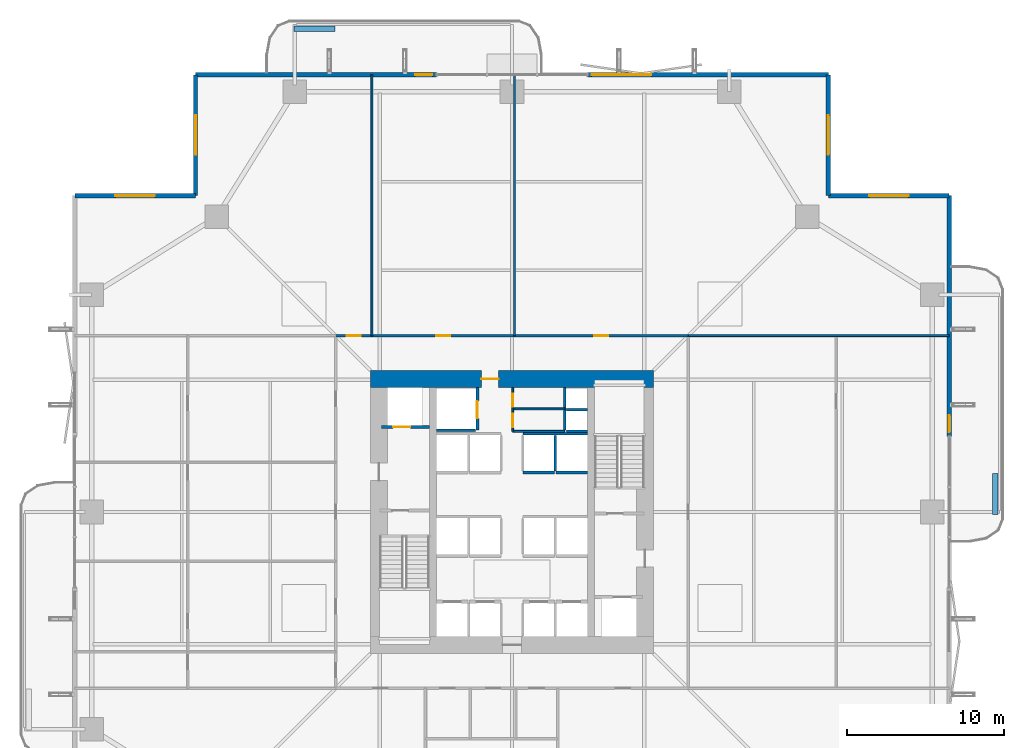
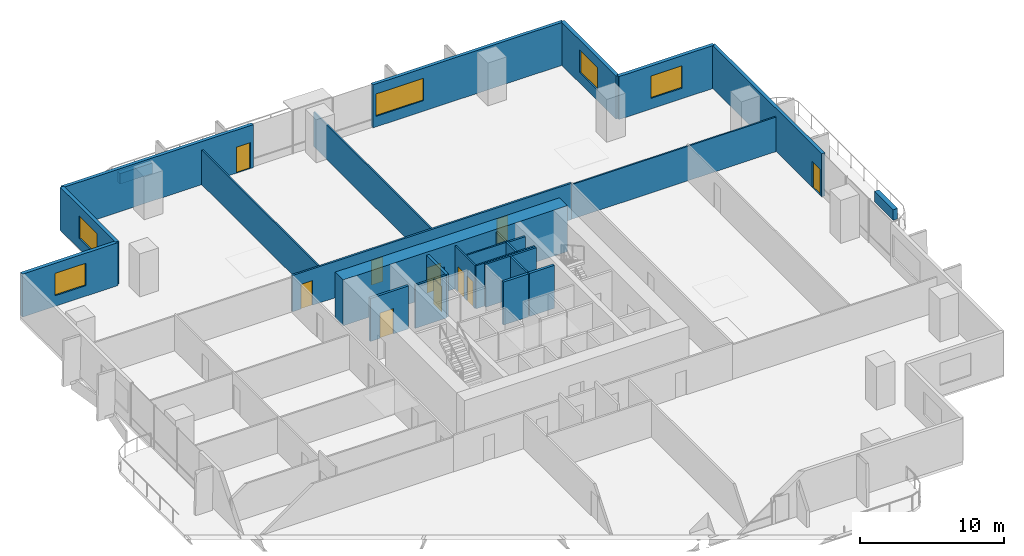
# One storey, part 19 of 24: 27 walls, 10 doors, 5 windows, 15 openings.
"""IFC4 building model written with IfcOpenShell, lengths in metres."""

from ifc_helpers import new_model, si_unit, direction, frame, frame_2d, origin, place, context, subcontext, project, spatial, rectangle, extrude, material, layer, layer_set, type_object, element, fill, save


model = new_model("IFC4")

# Units and contexts
model_context = context("Model", 3, precision=1e-05, world=origin(), true_north=direction((0.0, 1.0)))
body_context = subcontext(model_context, "Body", "Model", "MODEL_VIEW")
ifc_project = project(units=[si_unit("LENGTHUNIT", "METRE"), si_unit("AREAUNIT", "SQUARE_METRE"), si_unit("VOLUMEUNIT", "CUBIC_METRE"), si_unit("PLANEANGLEUNIT", "RADIAN"), si_unit("MASSUNIT", "GRAM", prefix="KILO")], contexts=[model_context])

# Site, building, storey
site_placement = place(None, origin())
site = spatial("IfcSite", under=ifc_project, at=site_placement, CompositionType="ELEMENT")
building_placement = place(site_placement, origin())
building = spatial("IfcBuilding", under=site, at=building_placement, Name="Belovzor Exchange Tower", CompositionType="ELEMENT")
storey_placement = place(building_placement, frame((0.0, 0.0, 80.699951171875)))
storey = spatial("IfcBuildingStorey", under=building, at=storey_placement, Name="L19", CompositionType="ELEMENT", Elevation=80.699951171875)

# Walls
ifc_material_1 = material(Name="Acoustic Plasterboard on Galvanised Studs", Category="gypsum")
ifc_layer_1 = layer(ifc_material_1, 0.1201171875)
ifc_layer_set_1 = layer_set([ifc_layer_1], Name="Acoustic Plasterboard on Galvanised Studs")
wall_type_1 = type_object("IfcWallType", Name="Acoustic Double-Stud Partition Wall 120", PredefinedType="PARTITIONING", material=ifc_layer_set_1)
for number, where, z_axis, x_axis, name in (
    (1, (19.89990234375, 40.0, 0.0), (0.0, 0.0, 1.0), (0.0, 1.0, 0.0), "W-P120 Partition Wall W-L19-NDIV-1"),
    (2, (28.9560546875, 40.0, 0.0), (0.0, 0.0, 1.0), (0.0, 1.0, 0.0), "W-P120 Partition Wall W-L19-NDIV-2"),
    (3, (40.0, 40.0, 0.0), (0.0, 0.0, 1.0), (1.0, 0.0, 0.0), "W-P120 Partition Wall W-L19-END-NE"),
):
    element("IfcWall", number, at=place(storey_placement, frame(where, z_axis=z_axis, x_axis=x_axis)), inside=storey, type_object=wall_type_1, Name=name, PredefinedType="PARTITIONING", context=body_context, shape_type="SweptSolid", body=[
        extrude(rectangle(XDim=16.570068359375, YDim=0.1201171875, at=frame_2d((8.28515625, 0.0))), origin(), (0.0, 0.0, 1.0), 2.93505859375),
    ])

# Wall, openings, doors
ifc_material_2 = material(Name="Fire-Rated Plasterboard on Galvanised Studs", Category="gypsum")
ifc_layer_2 = layer(ifc_material_2, 0.1201171875)
ifc_layer_set_2 = layer_set([ifc_layer_2], Name="Fire-Rated Plasterboard on Galvanised Studs")
wall_type_2 = type_object("IfcWallType", Name="Fire-Rated Double-Stud Partition Wall 120", PredefinedType="PARTITIONING", material=ifc_layer_set_2)
wall_1_placement = place(storey_placement, frame((28.85009765625, 33.925048828125, 0.0), z_axis=(0.0, 0.0, 1.0), x_axis=(0.0, 1.0, 0.0)))
wall_1 = element("IfcWall", 4, at=wall_1_placement, inside=storey, type_object=wall_type_2, Name="W-P120F Partition Wall W-CRV-L19-W", PredefinedType="PARTITIONING", context=body_context, shape_type="SweptSolid", body=[
    extrude(rectangle(XDim=2.77490234375, YDim=0.1201171875, at=frame_2d((1.387451171875, 0.0))), origin(), (0.0, 0.0, 1.0), 3.650146484375),
])
opening_1_placement = place(wall_1_placement, frame((0.25, 0.0, 0.0)))
opening_1 = element("IfcOpeningElement", 5, at=opening_1_placement, cuts=wall_1, Name="Opening D-FD60-085", PredefinedType="OPENING", context=body_context, shape_type="SweptSolid", body=[
    extrude(rectangle(XDim=0.85009765625, YDim=2.10009765625, at=frame_2d((0.425048828125, 1.050048828125))), frame((0.0, 0.070068359375, 0.0), z_axis=(0.0, -1.0, 0.0), x_axis=(1.0, 0.0, 0.0)), (0.0, 0.0, 1.0), 0.14013671875),
])
opening_2_placement = place(wall_1_placement, frame((1.544921875, 0.0, 0.0)))
opening_2 = element("IfcOpeningElement", 6, at=opening_2_placement, cuts=wall_1, Name="Opening D-FD60-085", PredefinedType="OPENING", context=body_context, shape_type="SweptSolid", body=[
    extrude(rectangle(XDim=0.85009765625, YDim=2.10009765625, at=frame_2d((0.425048828125, 1.050048828125))), frame((0.0, 0.070068359375, 0.0), z_axis=(0.0, -1.0, 0.0), x_axis=(1.0, 0.0, 0.0)), (0.0, 0.0, 1.0), 0.14013671875),
])
ifc_material_3 = material(Name="Fire-Rated Steel Access Leaf", Category="steel")
door_type_1 = type_object("IfcDoorType", Name="Riser & Meter Closet Access Fire Door 850x2100", OperationType="NOTDEFINED", PredefinedType="DOOR", material=ifc_material_3)
door_1_placement = place(opening_1_placement, origin())
door_1 = element("IfcDoor", 7, at=door_1_placement, inside=storey, type_object=door_type_1, Name="D-FD60-085 Riser & Meter Closet Access Fire Door 850x2100", OperationType="SINGLE_SWING_LEFT", OverallHeight=2.10009765625, OverallWidth=0.85009765625, PredefinedType="DOOR", context=body_context, shape_type="SweptSolid", body=[
    extrude(rectangle(XDim=0.85009765625, YDim=2.10009765625, at=frame_2d((0.425048828125, 1.050048828125))), frame((0.0, 0.02490234375, 0.0), z_axis=(0.0, -1.0, 0.0), x_axis=(1.0, 0.0, 0.0)), (0.0, 0.0, 1.0), 0.050048828125),
])
fill(opening_1, door_1)
door_2_placement = place(opening_2_placement, origin())
door_2 = element("IfcDoor", 8, at=door_2_placement, inside=storey, type_object=door_type_1, Name="D-FD60-085 Riser & Meter Closet Access Fire Door 850x2100", OperationType="SINGLE_SWING_RIGHT", OverallHeight=2.10009765625, OverallWidth=0.85009765625, PredefinedType="DOOR", context=body_context, shape_type="SweptSolid", body=[
    extrude(rectangle(XDim=0.85009765625, YDim=2.10009765625, at=frame_2d((0.425048828125, 1.050048828125))), frame((0.0, 0.02490234375, 0.0), z_axis=(0.0, -1.0, 0.0), x_axis=(1.0, 0.0, 0.0)), (0.0, 0.0, 1.0), 0.050048828125),
])
fill(opening_2, door_2)

# Walls
for number, where, z_axis, x_axis, name in (
    (9, (28.85009765625, 35.35009765625, 0.0), (0.0, 0.0, 1.0), (1.0, 0.0, 0.0), "W-P120F Partition Wall W-CRV-L19-M"),
    (10, (28.85009765625, 33.925048828125, 0.0), (0.0, 0.0, 1.0), (1.0, 0.0, 0.0), "W-P120F Partition Wall W-CRV-L19-S"),
):
    element("IfcWall", number, at=place(storey_placement, frame(where, z_axis=z_axis, x_axis=x_axis)), inside=storey, type_object=wall_type_2, Name=name, PredefinedType="PARTITIONING", context=body_context, shape_type="SweptSolid", body=[
        extrude(rectangle(XDim=3.2998046875, YDim=0.1201171875, at=frame_2d((1.64990234375, 0.0))), origin(), (0.0, 0.0, 1.0), 3.650146484375),
    ])

# Wall, openings, doors
ifc_material_4 = material(Name="Fire-Rated Gypsum Block and Mineral Wool", Category="gypsum")
ifc_layer_3 = layer(ifc_material_4, 0.14990234375)
ifc_layer_set_3 = layer_set([ifc_layer_3], Name="Fire-Rated Gypsum Block and Mineral Wool")
wall_type_3 = type_object("IfcWallType", Name="Fire-Rated Gypsum Block Corridor Wall 150", PredefinedType="PARTITIONING", material=ifc_layer_set_3)
wall_2_placement = place(storey_placement, frame((17.60009765625, 40.0, 0.0), z_axis=(0.0, 0.0, 1.0), x_axis=(1.0, 0.0, 0.0)))
wall_2 = element("IfcWall", 11, at=wall_2_placement, inside=storey, type_object=wall_type_3, Name="W-P150 Partition Wall W-L19-CN", PredefinedType="PARTITIONING", context=body_context, shape_type="SweptSolid", body=[
    extrude(rectangle(XDim=22.39990234375, YDim=0.14990234375, at=frame_2d((11.199951171875, 0.0))), origin(), (0.0, 0.0, 1.0), 3.0849609375),
])
opening_3_placement = place(wall_2_placement, frame((0.699951171875, 0.0, 0.0)))
opening_3 = element("IfcOpeningElement", 12, at=opening_3_placement, cuts=wall_2, Name="Opening D-INT-090", PredefinedType="OPENING", context=body_context, shape_type="SweptSolid", body=[
    extrude(rectangle(XDim=0.89990234375, YDim=2.10009765625, at=frame_2d((0.449951171875, 1.050048828125))), frame((0.0, 0.0849609375, 0.0), z_axis=(0.0, -1.0, 0.0), x_axis=(1.0, 0.0, 0.0)), (0.0, 0.0, 1.0), 0.169921875),
])
opening_4_placement = place(wall_2_placement, frame((6.3779296875, 0.0, 0.0)))
opening_4 = element("IfcOpeningElement", 13, at=opening_4_placement, cuts=wall_2, Name="Opening D-INT-090", PredefinedType="OPENING", context=body_context, shape_type="SweptSolid", body=[
    extrude(rectangle(XDim=0.89990234375, YDim=2.10009765625, at=frame_2d((0.449951171875, 1.050048828125))), frame((0.0, 0.0849609375, 0.0), z_axis=(0.0, -1.0, 0.0), x_axis=(1.0, 0.0, 0.0)), (0.0, 0.0, 1.0), 0.169921875),
])
opening_5_placement = place(wall_2_placement, frame((16.427978515625, 0.0, 0.0)))
opening_5 = element("IfcOpeningElement", 14, at=opening_5_placement, cuts=wall_2, Name="Opening D-INT-090", PredefinedType="OPENING", context=body_context, shape_type="SweptSolid", body=[
    extrude(rectangle(XDim=0.89990234375, YDim=2.10009765625, at=frame_2d((0.449951171875, 1.050048828125))), frame((0.0, 0.0849609375, 0.0), z_axis=(0.0, -1.0, 0.0), x_axis=(1.0, 0.0, 0.0)), (0.0, 0.0, 1.0), 0.169921875),
])
ifc_material_5 = material(Name="Veneered Hardwood Acoustic Leaf", Category="wood")
door_type_2 = type_object("IfcDoorType", Name="Trading Suite Acoustic Single Door 900x2100", OperationType="NOTDEFINED", PredefinedType="DOOR", material=ifc_material_5)
door_3_placement = place(opening_3_placement, origin())
door_3 = element("IfcDoor", 15, at=door_3_placement, inside=storey, type_object=door_type_2, Name="D-INT-090 Trading Suite Acoustic Single Door 900x2100", OperationType="SINGLE_SWING_RIGHT", OverallHeight=2.10009765625, OverallWidth=0.89990234375, PredefinedType="DOOR", context=body_context, shape_type="SweptSolid", body=[
    extrude(rectangle(XDim=0.89990234375, YDim=2.10009765625, at=frame_2d((0.449951171875, 1.050048828125))), frame((0.0, 0.02490234375, 0.0), z_axis=(0.0, -1.0, 0.0), x_axis=(1.0, 0.0, 0.0)), (0.0, 0.0, 1.0), 0.050048828125),
])
fill(opening_3, door_3)
door_4_placement = place(opening_4_placement, origin())
door_4 = element("IfcDoor", 16, at=door_4_placement, inside=storey, type_object=door_type_2, Name="D-INT-090 Trading Suite Acoustic Single Door 900x2100", OperationType="SINGLE_SWING_LEFT", OverallHeight=2.10009765625, OverallWidth=0.89990234375, PredefinedType="DOOR", context=body_context, shape_type="SweptSolid", body=[
    extrude(rectangle(XDim=0.89990234375, YDim=2.10009765625, at=frame_2d((0.449951171875, 1.050048828125))), frame((0.0, 0.02490234375, 0.0), z_axis=(0.0, -1.0, 0.0), x_axis=(1.0, 0.0, 0.0)), (0.0, 0.0, 1.0), 0.050048828125),
])
fill(opening_4, door_4)
door_5_placement = place(opening_5_placement, origin())
door_5 = element("IfcDoor", 17, at=door_5_placement, inside=storey, type_object=door_type_2, Name="D-INT-090 Trading Suite Acoustic Single Door 900x2100", OperationType="SINGLE_SWING_RIGHT", OverallHeight=2.10009765625, OverallWidth=0.89990234375, PredefinedType="DOOR", context=body_context, shape_type="SweptSolid", body=[
    extrude(rectangle(XDim=0.89990234375, YDim=2.10009765625, at=frame_2d((0.449951171875, 1.050048828125))), frame((0.0, 0.02490234375, 0.0), z_axis=(0.0, -1.0, 0.0), x_axis=(1.0, 0.0, 0.0)), (0.0, 0.0, 1.0), 0.050048828125),
])
fill(opening_5, door_5)

# Wall, opening, window
ifc_material_6 = material(Name="Precast concrete C40/50", Category="concrete")
ifc_layer_4 = layer(ifc_material_6, 0.280029296875)
ifc_layer_set_4 = layer_set([ifc_layer_4], Name="Precast concrete C40/50")
wall_type_4 = type_object("IfcWallType", Name="Precast Concrete Notched Corner Frame Wall 280", PredefinedType="SOLIDWALL", material=ifc_layer_set_4)
wall_3_placement = place(storey_placement, frame((1.030029296875, 48.89990234375, 0.0), z_axis=(0.0, 0.0, 1.0), x_axis=(1.0, 0.0, 0.0)))
wall_3 = element("IfcWall", 18, at=wall_3_placement, inside=storey, type_object=wall_type_4, Name="W-CRN280 Precast Concrete Notched Corner Frame Wall 280 L19", PredefinedType="SOLIDWALL", context=body_context, shape_type="SweptSolid", body=[
    extrude(rectangle(XDim=7.669921875, YDim=0.280029296875, at=frame_2d((3.8349609375, 0.0))), origin(), (0.0, 0.0, 1.0), 3.650146484375),
])
opening_6_placement = place(wall_3_placement, frame((2.5849609375, 0.0, 0.89990234375)))
opening_6 = element("IfcOpeningElement", 19, at=opening_6_placement, cuts=wall_3, Name="Opening WN-CRN250", PredefinedType="OPENING", context=body_context, shape_type="SweptSolid", body=[
    extrude(rectangle(XDim=2.5, YDim=1.89990234375, at=frame_2d((1.25, 0.949951171875))), frame((0.0, 0.14990234375, 0.0), z_axis=(0.0, -1.0, 0.0), x_axis=(1.0, 0.0, 0.0)), (0.0, 0.0, 1.0), 0.300048828125),
])
ifc_material_7 = material(Name="Thermally Broken Aluminium and Triple Glazing", Category="aluminium")
window_type_1 = type_object("IfcWindowType", Name="Streamline Moderne Corner Wrap Ribbon Window 2500x1900", PartitioningType="SINGLE_PANEL", PredefinedType="WINDOW", material=ifc_material_7)
window_1_placement = place(opening_6_placement, origin())
window_1 = element("IfcWindow", 20, at=window_1_placement, inside=storey, type_object=window_type_1, Name="WN-CRN250 Streamline Moderne Corner Wrap Ribbon Window 2500x1900", OverallHeight=1.89990234375, OverallWidth=2.5, PartitioningType="SINGLE_PANEL", PredefinedType="WINDOW", context=body_context, shape_type="SweptSolid", body=[
    extrude(rectangle(XDim=2.5, YDim=1.89990234375, at=frame_2d((1.25, 0.949951171875))), frame((0.0, 0.030029296875, 0.0), z_axis=(0.0, -1.0, 0.0), x_axis=(1.0, 0.0, 0.0)), (0.0, 0.0, 1.0), 0.06005859375),
])
fill(opening_6, window_1)

wall_4_placement = place(storey_placement, frame((8.699951171875, 48.89990234375, 0.0), z_axis=(0.0, 0.0, 1.0), x_axis=(0.0, 1.0, 0.0)))
wall_4 = element("IfcWall", 21, at=wall_4_placement, inside=storey, type_object=wall_type_4, Name="W-CRN280 Precast Concrete Notched Corner Frame Wall 280 L19", PredefinedType="SOLIDWALL", context=body_context, shape_type="SweptSolid", body=[
    extrude(rectangle(XDim=7.670166015625, YDim=0.280029296875, at=frame_2d((3.8349609375, 0.0))), origin(), (0.0, 0.0, 1.0), 3.650146484375),
])
opening_7_placement = place(wall_4_placement, frame((2.5849609375, 0.0, 0.89990234375)))
opening_7 = element("IfcOpeningElement", 22, at=opening_7_placement, cuts=wall_4, Name="Opening WN-CRN250", PredefinedType="OPENING", context=body_context, shape_type="SweptSolid", body=[
    extrude(rectangle(XDim=2.5, YDim=1.89990234375, at=frame_2d((1.25, 0.949951171875))), frame((0.0, 0.14990234375, 0.0), z_axis=(0.0, -1.0, 0.0), x_axis=(1.0, 0.0, 0.0)), (0.0, 0.0, 1.0), 0.300048828125),
])
window_2_placement = place(opening_7_placement, origin())
window_2 = element("IfcWindow", 23, at=window_2_placement, inside=storey, type_object=window_type_1, Name="WN-CRN250 Streamline Moderne Corner Wrap Ribbon Window 2500x1900", OverallHeight=1.89990234375, OverallWidth=2.5, PartitioningType="SINGLE_PANEL", PredefinedType="WINDOW", context=body_context, shape_type="SweptSolid", body=[
    extrude(rectangle(XDim=2.5, YDim=1.89990234375, at=frame_2d((1.25, 0.949951171875))), frame((0.0, 0.030029296875, 0.0), z_axis=(0.0, -1.0, 0.0), x_axis=(1.0, 0.0, 0.0)), (0.0, 0.0, 1.0), 0.06005859375),
])
fill(opening_7, window_2)

wall_5_placement = place(storey_placement, frame((48.89990234375, 56.570068359375, 0.0), z_axis=(0.0, 0.0, 1.0), x_axis=(0.0, -1.0, 0.0)))
wall_5 = element("IfcWall", 24, at=wall_5_placement, inside=storey, type_object=wall_type_4, Name="W-CRN280 Precast Concrete Notched Corner Frame Wall 280 L19", PredefinedType="SOLIDWALL", context=body_context, shape_type="SweptSolid", body=[
    extrude(rectangle(XDim=7.670166015625, YDim=0.280029296875, at=frame_2d((3.8349609375, 0.0))), origin(), (0.0, 0.0, 1.0), 3.650146484375),
])
opening_8_placement = place(wall_5_placement, frame((2.5849609375, 0.0, 0.89990234375)))
opening_8 = element("IfcOpeningElement", 25, at=opening_8_placement, cuts=wall_5, Name="Opening WN-CRN250", PredefinedType="OPENING", context=body_context, shape_type="SweptSolid", body=[
    extrude(rectangle(XDim=2.5, YDim=1.89990234375, at=frame_2d((1.25, 0.949951171875))), frame((0.0, 0.14990234375, 0.0), z_axis=(0.0, -1.0, 0.0), x_axis=(1.0, 0.0, 0.0)), (0.0, 0.0, 1.0), 0.300048828125),
])
window_3_placement = place(opening_8_placement, origin())
window_3 = element("IfcWindow", 26, at=window_3_placement, inside=storey, type_object=window_type_1, Name="WN-CRN250 Streamline Moderne Corner Wrap Ribbon Window 2500x1900", OverallHeight=1.89990234375, OverallWidth=2.5, PartitioningType="SINGLE_PANEL", PredefinedType="WINDOW", context=body_context, shape_type="SweptSolid", body=[
    extrude(rectangle(XDim=2.5, YDim=1.89990234375, at=frame_2d((1.25, 0.949951171875))), frame((0.0, 0.030029296875, 0.0), z_axis=(0.0, -1.0, 0.0), x_axis=(1.0, 0.0, 0.0)), (0.0, 0.0, 1.0), 0.06005859375),
])
fill(opening_8, window_3)

wall_6_placement = place(storey_placement, frame((48.89990234375, 48.89990234375, 0.0), z_axis=(0.0, 0.0, 1.0), x_axis=(1.0, 0.0, 0.0)))
wall_6 = element("IfcWall", 27, at=wall_6_placement, inside=storey, type_object=wall_type_4, Name="W-CRN280 Precast Concrete Notched Corner Frame Wall 280 L19", PredefinedType="SOLIDWALL", context=body_context, shape_type="SweptSolid", body=[
    extrude(rectangle(XDim=7.670166015625, YDim=0.280029296875, at=frame_2d((3.8349609375, 0.0))), origin(), (0.0, 0.0, 1.0), 3.650146484375),
])
opening_9_placement = place(wall_6_placement, frame((2.5849609375, 0.0, 0.89990234375)))
opening_9 = element("IfcOpeningElement", 28, at=opening_9_placement, cuts=wall_6, Name="Opening WN-CRN250", PredefinedType="OPENING", context=body_context, shape_type="SweptSolid", body=[
    extrude(rectangle(XDim=2.5, YDim=1.89990234375, at=frame_2d((1.25, 0.949951171875))), frame((0.0, 0.14990234375, 0.0), z_axis=(0.0, -1.0, 0.0), x_axis=(1.0, 0.0, 0.0)), (0.0, 0.0, 1.0), 0.300048828125),
])
window_4_placement = place(opening_9_placement, origin())
window_4 = element("IfcWindow", 29, at=window_4_placement, inside=storey, type_object=window_type_1, Name="WN-CRN250 Streamline Moderne Corner Wrap Ribbon Window 2500x1900", OverallHeight=1.89990234375, OverallWidth=2.5, PartitioningType="SINGLE_PANEL", PredefinedType="WINDOW", context=body_context, shape_type="SweptSolid", body=[
    extrude(rectangle(XDim=2.5, YDim=1.89990234375, at=frame_2d((1.25, 0.949951171875))), frame((0.0, 0.030029296875, 0.0), z_axis=(0.0, -1.0, 0.0), x_axis=(1.0, 0.0, 0.0)), (0.0, 0.0, 1.0), 0.06005859375),
])
fill(opening_9, window_4)

# Wall, opening, door
ifc_material_8 = material(Name="Precast concrete C40/50", Category="concrete")
ifc_layer_5 = layer(ifc_material_8, 0.260009765625)
ifc_layer_set_5 = layer_set([ifc_layer_5], Name="Precast concrete C40/50")
wall_type_5 = type_object("IfcWallType", Name="Precast Concrete Perimeter Loggia Frame Wall 260", PredefinedType="SOLIDWALL", material=ifc_layer_set_5)
wall_7_placement = place(storey_placement, frame((8.699951171875, 56.570068359375, 0.0), z_axis=(0.0, 0.0, 1.0), x_axis=(1.0, 0.0, 0.0)))
wall_7 = element("IfcWall", 30, at=wall_7_placement, inside=storey, type_object=wall_type_5, Name="W-EXT260 Precast Concrete Perimeter Loggia Frame Wall 260 L19", PredefinedType="SOLIDWALL", context=body_context, shape_type="SweptSolid", body=[
    extrude(rectangle(XDim=15.300048828125, YDim=0.260009765625, at=frame_2d((7.64990234375, 0.0))), origin(), (0.0, 0.0, 1.0), 3.650146484375),
])
opening_10_placement = place(wall_7_placement, frame((13.949951171875, 0.0, 0.0)))
opening_10 = element("IfcOpeningElement", 31, at=opening_10_placement, cuts=wall_7, Name="Opening D-BAL110", PredefinedType="OPENING", context=body_context, shape_type="SweptSolid", body=[
    extrude(rectangle(XDim=1.10009765625, YDim=2.199951171875, at=frame_2d((0.550048828125, 1.10009765625))), frame((0.0, 0.139892578125, 0.0), z_axis=(0.0, -1.0, 0.0), x_axis=(1.0, 0.0, 0.0)), (0.0, 0.0, 1.0), 0.280029296875),
])
ifc_material_9 = material(Name="Thermally Broken Anodised Aluminium and Laminated Glass", Category="aluminium")
door_type_3 = type_object("IfcDoorType", Name="Planted Loggia Terrace Glazed Door 1100x2200", OperationType="SINGLE_SWING_LEFT", PredefinedType="DOOR", material=ifc_material_9)
door_6_placement = place(opening_10_placement, origin())
door_6 = element("IfcDoor", 32, at=door_6_placement, inside=storey, type_object=door_type_3, Name="D-BAL110 Balcony Terrace Door L19 N", OperationType="SINGLE_SWING_RIGHT", OverallHeight=2.199951171875, OverallWidth=1.10009765625, PredefinedType="DOOR", context=body_context, shape_type="SweptSolid", body=[
    extrude(rectangle(XDim=1.10009765625, YDim=2.199951171875, at=frame_2d((0.550048828125, 1.10009765625))), frame((0.0, 0.02490234375, 0.0), z_axis=(0.0, -1.0, 0.0), x_axis=(1.0, 0.0, 0.0)), (0.0, 0.0, 1.0), 0.050048828125),
])
fill(opening_10, door_6)

# Wall, opening, window
wall_8_placement = place(storey_placement, frame((33.60009765625, 56.570068359375, 0.0), z_axis=(0.0, 0.0, 1.0), x_axis=(1.0, 0.0, 0.0)))
wall_8 = element("IfcWall", 33, at=wall_8_placement, inside=storey, type_object=wall_type_5, Name="W-EXT260 Precast Concrete Perimeter Loggia Frame Wall 260 L19", PredefinedType="SOLIDWALL", context=body_context, shape_type="SweptSolid", body=[
    extrude(rectangle(XDim=15.2998046875, YDim=0.260009765625, at=frame_2d((7.64990234375, 0.0))), origin(), (0.0, 0.0, 1.0), 3.650146484375),
])
opening_11_placement = place(wall_8_placement, frame((0.25, 0.0, 0.89990234375)))
opening_11 = element("IfcOpeningElement", 34, at=opening_11_placement, cuts=wall_8, Name="Opening WN-RIB380", PredefinedType="OPENING", context=body_context, shape_type="SweptSolid", body=[
    extrude(rectangle(XDim=3.800048828125, YDim=1.89990234375, at=frame_2d((1.89990234375, 0.949951171875))), frame((0.0, 0.139892578125, 0.0), z_axis=(0.0, -1.0, 0.0), x_axis=(1.0, 0.0, 0.0)), (0.0, 0.0, 1.0), 0.280029296875),
])
ifc_material_10 = material(Name="Thermally Broken Aluminium and Triple Glazing", Category="aluminium")
window_type_2 = type_object("IfcWindowType", Name="Streamline Moderne Horizontal Ribbon Window 3800x1900", PartitioningType="SINGLE_PANEL", PredefinedType="WINDOW", material=ifc_material_10)
window_5_placement = place(opening_11_placement, origin())
window_5 = element("IfcWindow", 35, at=window_5_placement, inside=storey, type_object=window_type_2, Name="WN-RIB380 Streamline Moderne Horizontal Ribbon Window 3800x1900", OverallHeight=1.89990234375, OverallWidth=3.800048828125, PartitioningType="SINGLE_PANEL", PredefinedType="WINDOW", context=body_context, shape_type="SweptSolid", body=[
    extrude(rectangle(XDim=3.800048828125, YDim=1.89990234375, at=frame_2d((1.89990234375, 0.949951171875))), frame((0.0, 0.030029296875, 0.0), z_axis=(0.0, -1.0, 0.0), x_axis=(1.0, 0.0, 0.0)), (0.0, 0.0, 1.0), 0.06005859375),
])
fill(opening_11, window_5)

# Wall, opening, door
wall_9_placement = place(storey_placement, frame((56.570068359375, 48.89990234375, 0.0), z_axis=(0.0, 0.0, 1.0), x_axis=(0.0, -1.0, 0.0)))
wall_9 = element("IfcWall", 36, at=wall_9_placement, inside=storey, type_object=wall_type_5, Name="W-EXT260 Precast Concrete Perimeter Loggia Frame Wall 260 L19", PredefinedType="SOLIDWALL", context=body_context, shape_type="SweptSolid", body=[
    extrude(rectangle(XDim=15.2998046875, YDim=0.260009765625, at=frame_2d((7.64990234375, 0.0))), origin(), (0.0, 0.0, 1.0), 3.650146484375),
])
opening_12_placement = place(wall_9_placement, frame((13.949951171875, 0.0, 0.0)))
opening_12 = element("IfcOpeningElement", 37, at=opening_12_placement, cuts=wall_9, Name="Opening D-BAL110", PredefinedType="OPENING", context=body_context, shape_type="SweptSolid", body=[
    extrude(rectangle(XDim=1.10009765625, YDim=2.199951171875, at=frame_2d((0.550048828125, 1.10009765625))), frame((0.0, 0.139892578125, 0.0), z_axis=(0.0, -1.0, 0.0), x_axis=(1.0, 0.0, 0.0)), (0.0, 0.0, 1.0), 0.280029296875),
])
door_7_placement = place(opening_12_placement, origin())
door_7 = element("IfcDoor", 38, at=door_7_placement, inside=storey, type_object=door_type_3, Name="D-BAL110 Balcony Terrace Door L19 E", OperationType="SINGLE_SWING_LEFT", OverallHeight=2.199951171875, OverallWidth=1.10009765625, PredefinedType="DOOR", context=body_context, shape_type="SweptSolid", body=[
    extrude(rectangle(XDim=1.10009765625, YDim=2.199951171875, at=frame_2d((0.550048828125, 1.10009765625))), frame((0.0, 0.02490234375, 0.0), z_axis=(0.0, -1.0, 0.0), x_axis=(1.0, 0.0, 0.0)), (0.0, 0.0, 1.0), 0.050048828125),
])
fill(opening_12, door_7)

# Walls
ifc_material_11 = material(Name="Precast concrete C40/50", Category="concrete")
ifc_layer_6 = layer(ifc_material_11, 0.35009765625)
ifc_layer_set_6 = layer_set([ifc_layer_6], Name="Precast concrete C40/50")
wall_type_6 = type_object("IfcWallType", Name="Precast Concrete Structural Tree Planter Trough 350", PredefinedType="PARAPET", material=ifc_layer_set_6)
for number, where, z_axis, x_axis, name in (
    (39, (14.949951171875, 59.5, 0.0), (0.0, 0.0, 1.0), (1.0, 0.0, 0.0), "PT-350 Precast Concrete Structural Tree Planter Trough 350 L19"),
    (40, (59.5, 28.64990234375, 0.0), (0.0, 0.0, 1.0), (0.0, 1.0, 0.0), "PT-350 Precast Concrete Structural Tree Planter Trough 350 L19"),
):
    element("IfcWall", number, at=place(storey_placement, frame(where, z_axis=z_axis, x_axis=x_axis)), inside=storey, type_object=wall_type_6, Name=name, PredefinedType="PARAPET", context=body_context, shape_type="SweptSolid", body=[
        extrude(rectangle(XDim=2.60009765625, YDim=0.35009765625, at=frame_2d((1.300048828125, 0.0))), origin(), (0.0, 0.0, 1.0), 0.900146484375),
    ])
ifc_material_12 = material(Name="Concrete C50/60", Category="concrete")
ifc_layer_7 = layer(ifc_material_12, 0.14990234375)
ifc_layer_set_7 = layer_set([ifc_layer_7], Name="Concrete C50/60")
wall_type_7 = type_object("IfcWallType", Name="Reinforced Concrete Core Riser Shear Wall 150", PredefinedType="SHEAR", material=ifc_layer_set_7)
wall_10_placement = place(storey_placement, frame((32.14990234375, 34.0, 0.0), z_axis=(0.0, 0.0, 1.0), x_axis=(0.0, 1.0, 0.0)))
element("IfcWall", 41, at=wall_10_placement, inside=storey, type_object=wall_type_7, Name="W-C150S Core Shaft Wall W-RSR-L19-E", PredefinedType="SHEAR", context=body_context, shape_type="SweptSolid", body=[
    extrude(rectangle(XDim=2.699951171875, YDim=0.14990234375, at=frame_2d((1.35009765625, 0.0))), origin(), (0.0, 0.0, 1.0), 3.650146484375),
])
for number, where, z_axis, x_axis, name in (
    (42, (32.25, 33.925048828125, 0.0), (0.0, 0.0, 1.0), (1.0, 0.0, 0.0), "W-C150S Core Shaft Wall W-RSR-L19-S"),
    (43, (32.25, 35.300048828125, 0.0), (0.0, 0.0, 1.0), (1.0, 0.0, 0.0), "W-C150S Core Shaft Wall W-RSR-L19-M"),
):
    element("IfcWall", number, at=place(storey_placement, frame(where, z_axis=z_axis, x_axis=x_axis)), inside=storey, type_object=wall_type_7, Name=name, PredefinedType="SHEAR", context=body_context, shape_type="SweptSolid", body=[
        extrude(rectangle(XDim=1.330078125, YDim=0.14990234375, at=frame_2d((0.6650390625, 0.0))), origin(), (0.0, 0.0, 1.0), 3.650146484375),
    ])
wall_11_placement = place(storey_placement, frame((24.0, 34.0, 0.0), z_axis=(0.0, 0.0, 1.0), x_axis=(1.0, 0.0, 0.0)))
element("IfcWall", 44, at=wall_11_placement, inside=storey, type_object=wall_type_7, Name="W-C150S Core Shaft Wall W-SH-L19-SL-01S", PredefinedType="SHEAR", context=body_context, shape_type="SweptSolid", body=[
    extrude(rectangle(XDim=2.47998046875, YDim=0.14990234375, at=frame_2d((1.239990234375, 0.0))), origin(), (0.0, 0.0, 1.0), 3.650146484375),
])
wall_12_placement = place(storey_placement, frame((29.5, 33.760009765625, 0.0), z_axis=(0.0, 0.0, 1.0), x_axis=(1.0, 0.0, 0.0)))
element("IfcWall", 45, at=wall_12_placement, inside=storey, type_object=wall_type_7, Name="W-C150S Core Shaft Wall W-SHB-L19-PLH-NE", PredefinedType="SHEAR", context=body_context, shape_type="SweptSolid", body=[
    extrude(rectangle(XDim=4.080078125, YDim=0.14990234375, at=frame_2d((2.0400390625, 0.0))), origin(), (0.0, 0.0, 1.0), 3.650146484375),
])
wall_13_placement = place(storey_placement, frame((31.550048828125, 31.419921875, 0.0), z_axis=(0.0, 0.0, 1.0), x_axis=(0.0, 1.0, 0.0)))
element("IfcWall", 46, at=wall_13_placement, inside=storey, type_object=wall_type_7, Name="W-C150S Core Shaft Wall W-SHD-L19-PLH-4", PredefinedType="SHEAR", context=body_context, shape_type="SweptSolid", body=[
    extrude(rectangle(XDim=2.239990234375, YDim=0.14990234375, at=frame_2d((1.1201171875, 0.0))), origin(), (0.0, 0.0, 1.0), 3.650146484375),
])

# Wall, opening, door
ifc_material_13 = material(Name="Concrete C50/60", Category="concrete")
ifc_layer_8 = layer(ifc_material_13, 0.199951171875)
ifc_layer_set_8 = layer_set([ifc_layer_8], Name="Concrete C50/60")
wall_type_8 = type_object("IfcWallType", Name="Reinforced Concrete Core Shaft Shear Wall 200", PredefinedType="SHEAR", material=ifc_layer_set_8)
wall_14_placement = place(storey_placement, frame((20.5, 34.199951171875, 0.0), z_axis=(0.0, 0.0, 1.0), x_axis=(1.0, 0.0, 0.0)))
wall_14 = element("IfcWall", 47, at=wall_14_placement, inside=storey, type_object=wall_type_8, Name="W-C200S Core Shaft Wall W-SH-L19-FFL-01", PredefinedType="SHEAR", context=body_context, shape_type="SweptSolid", body=[
    extrude(rectangle(XDim=3.050048828125, YDim=0.199951171875, at=frame_2d((1.52490234375, 0.0))), origin(), (0.0, 0.0, 1.0), 3.650146484375),
])
opening_13_placement = place(wall_14_placement, frame((0.75, 0.0, 0.0)))
opening_13 = element("IfcOpeningElement", 48, at=opening_13_placement, cuts=wall_14, Name="Opening LD-110", PredefinedType="OPENING", context=body_context, shape_type="SweptSolid", body=[
    extrude(rectangle(XDim=1.10009765625, YDim=2.14990234375, at=frame_2d((0.550048828125, 1.074951171875))), frame((0.0, 0.10986328125, 0.0), z_axis=(0.0, -1.0, 0.0), x_axis=(1.0, 0.0, 0.0)), (0.0, 0.0, 1.0), 0.219970703125),
])
ifc_material_14 = material(Name="Stainless Steel Grade 304", Category="steel")
door_type_4 = type_object("IfcDoorType", Name="Automated Stainless Steel Lift Landing Door 1100x2150", OperationType="SLIDING_TO_RIGHT", PredefinedType="DOOR", material=ifc_material_14)
door_8_placement = place(opening_13_placement, origin())
door_8 = element("IfcDoor", 49, at=door_8_placement, inside=storey, type_object=door_type_4, Name="LD-110 Automated Stainless Steel Lift Landing Door 1100x2150", OperationType="SLIDING_TO_RIGHT", OverallHeight=2.14990234375, OverallWidth=1.10009765625, PredefinedType="DOOR", context=body_context, shape_type="SweptSolid", body=[
    extrude(rectangle(XDim=1.10009765625, YDim=2.14990234375, at=frame_2d((0.550048828125, 1.074951171875))), frame((0.0, 0.02490234375, 0.0), z_axis=(0.0, -1.0, 0.0), x_axis=(1.0, 0.0, 0.0)), (0.0, 0.0, 1.0), 0.050048828125),
])
fill(opening_13, door_8)

wall_15_placement = place(storey_placement, frame((26.60009765625, 34.0, 0.0), z_axis=(0.0, 0.0, 1.0), x_axis=(0.0, 1.0, 0.0)))
wall_15 = element("IfcWall", 50, at=wall_15_placement, inside=storey, type_object=wall_type_8, Name="W-C200S Core Shaft Wall W-SH-L19-SL-01", PredefinedType="SHEAR", context=body_context, shape_type="SweptSolid", body=[
    extrude(rectangle(XDim=2.699951171875, YDim=0.199951171875, at=frame_2d((1.35009765625, 0.0))), origin(), (0.0, 0.0, 1.0), 3.650146484375),
])
opening_14_placement = place(wall_15_placement, frame((0.75, 0.0, 0.0)))
opening_14 = element("IfcOpeningElement", 51, at=opening_14_placement, cuts=wall_15, Name="Opening LD-110", PredefinedType="OPENING", context=body_context, shape_type="SweptSolid", body=[
    extrude(rectangle(XDim=1.10009765625, YDim=2.14990234375, at=frame_2d((0.550048828125, 1.074951171875))), frame((0.0, 0.10986328125, 0.0), z_axis=(0.0, -1.0, 0.0), x_axis=(1.0, 0.0, 0.0)), (0.0, 0.0, 1.0), 0.219970703125),
])
door_9_placement = place(opening_14_placement, origin())
door_9 = element("IfcDoor", 52, at=door_9_placement, inside=storey, type_object=door_type_4, Name="LD-110 Automated Stainless Steel Lift Landing Door 1100x2150", OperationType="SLIDING_TO_RIGHT", OverallHeight=2.14990234375, OverallWidth=1.10009765625, PredefinedType="DOOR", context=body_context, shape_type="SweptSolid", body=[
    extrude(rectangle(XDim=1.10009765625, YDim=2.14990234375, at=frame_2d((0.550048828125, 1.074951171875))), frame((0.0, 0.02490234375, 0.0), z_axis=(0.0, -1.0, 0.0), x_axis=(1.0, 0.0, 0.0)), (0.0, 0.0, 1.0), 0.050048828125),
])
fill(opening_14, door_9)

# Walls
for number, where, z_axis, x_axis, name in (
    (53, (29.5, 31.300048828125, 0.0), (0.0, 0.0, 1.0), (1.0, 0.0, 0.0), "W-C200S Core Shaft Wall W-SH-L19-PL-H3"),
    (54, (31.60009765625, 31.300048828125, 0.0), (0.0, 0.0, 1.0), (1.0, 0.0, 0.0), "W-C200S Core Shaft Wall W-SH-L19-PL-H4"),
):
    element("IfcWall", number, at=place(storey_placement, frame(where, z_axis=z_axis, x_axis=x_axis)), inside=storey, type_object=wall_type_8, Name=name, PredefinedType="SHEAR", context=body_context, shape_type="SweptSolid", body=[
        extrude(rectangle(XDim=2.0, YDim=0.199951171875, at=frame_2d((1.0, 0.0))), origin(), (0.0, 0.0, 1.0), 3.650146484375),
    ])

# Wall, opening, door
ifc_material_15 = material(Name="Concrete C60/75", Category="concrete")
ifc_layer_9 = layer(ifc_material_15, 1.10009765625)
ifc_layer_set_9 = layer_set([ifc_layer_9], Name="Concrete C60/75")
wall_type_9 = type_object("IfcWallType", Name="Reinforced Concrete Core Shear Wall 1100", PredefinedType="SHEAR", material=ifc_layer_set_9)
wall_16_placement = place(storey_placement, frame((19.800048828125, 37.25, 0.0), z_axis=(0.0, 0.0, 1.0), x_axis=(1.0, 0.0, 0.0)))
wall_16 = element("IfcWall", 55, at=wall_16_placement, inside=storey, type_object=wall_type_9, Name="CW-S110 Core Shear Wall L19 N", PredefinedType="SHEAR", context=body_context, shape_type="SweptSolid", body=[
    extrude(rectangle(XDim=18.0, YDim=1.10009765625, at=frame_2d((9.0, 0.0))), origin(), (0.0, 0.0, 1.0), 3.900146484375),
])
opening_15_placement = place(wall_16_placement, frame((7.050048828125, 0.0, 0.0)))
opening_15 = element("IfcOpeningElement", 56, at=opening_15_placement, cuts=wall_16, Name="Opening D-FD90-110", PredefinedType="OPENING", context=body_context, shape_type="SweptSolid", body=[
    extrude(rectangle(XDim=1.10009765625, YDim=2.14990234375, at=frame_2d((0.550048828125, 1.074951171875))), frame((0.0, 0.56005859375, 0.0), z_axis=(0.0, -1.0, 0.0), x_axis=(1.0, 0.0, 0.0)), (0.0, 0.0, 1.0), 1.1201171875),
])
ifc_material_16 = material(Name="Fire-Rated Galvanised Steel Leaf", Category="steel")
door_type_5 = type_object("IfcDoorType", Name="Protected Escape Vestibule Fire Door 1100x2150", OperationType="NOTDEFINED", PredefinedType="DOOR", material=ifc_material_16)
door_10_placement = place(opening_15_placement, origin())
door_10 = element("IfcDoor", 57, at=door_10_placement, inside=storey, type_object=door_type_5, Name="D-FD90-110 Protected Escape Vestibule Fire Door 1100x2150", OperationType="SINGLE_SWING_RIGHT", OverallHeight=2.14990234375, OverallWidth=1.10009765625, PredefinedType="DOOR", context=body_context, shape_type="SweptSolid", body=[
    extrude(rectangle(XDim=1.10009765625, YDim=2.14990234375, at=frame_2d((0.550048828125, 1.074951171875))), frame((0.0, 0.02490234375, 0.0), z_axis=(0.0, -1.0, 0.0), x_axis=(1.0, 0.0, 0.0)), (0.0, 0.0, 1.0), 0.050048828125),
])
fill(opening_15, door_10)

save(model, "model.ifc")
